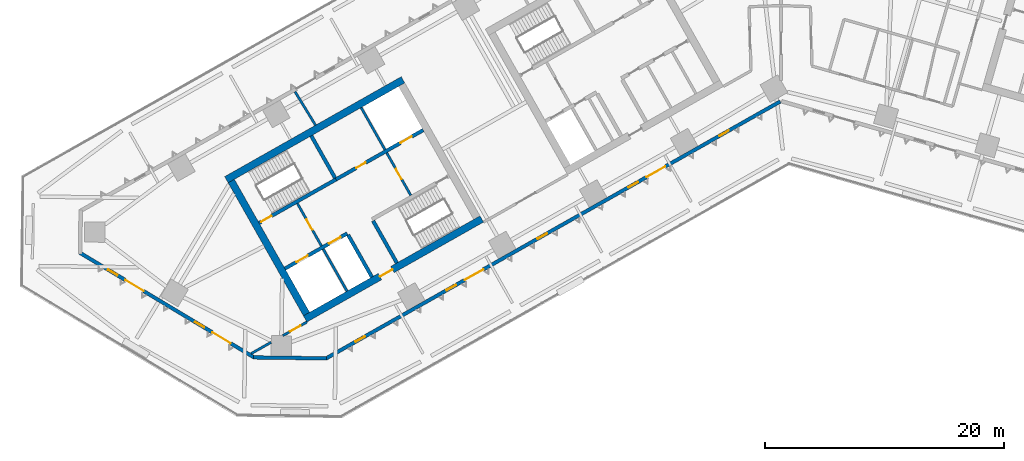
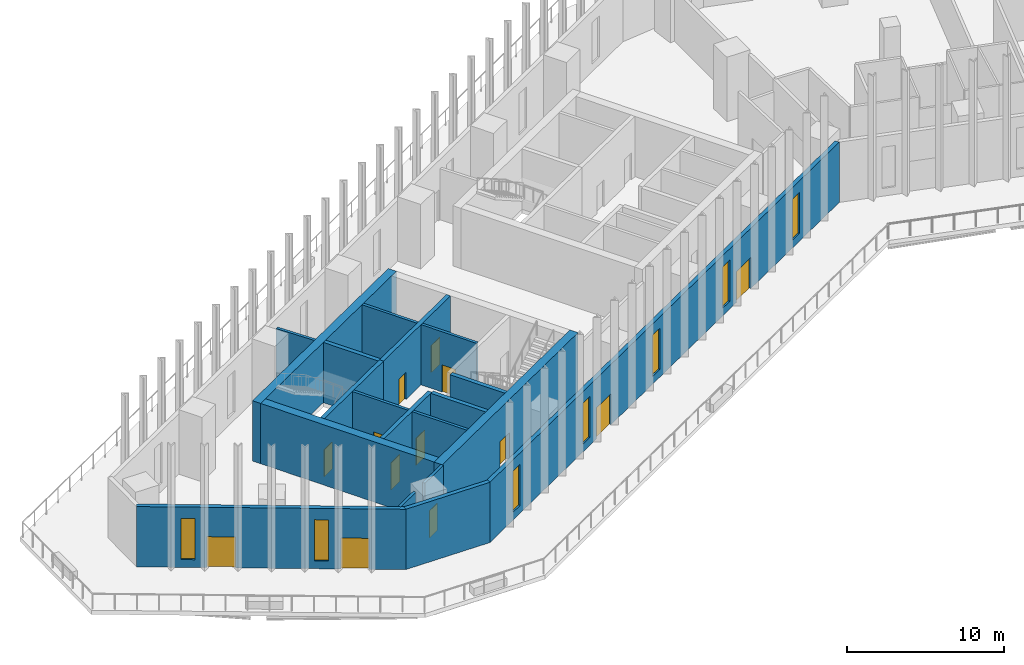
# One storey, part 5 of 17: 19 walls, 13 doors, 7 windows, 20 openings.
"""IFC4 building model written with IfcOpenShell, lengths in metres."""

from ifc_helpers import new_model, si_unit, direction, frame, frame_2d, origin, place, context, subcontext, project, spatial, rectangle, extrude, material, layer, layer_set, type_object, element, fill, save


model = new_model("IFC4")

# Units and contexts
model_context = context("Model", 3, precision=1e-05, world=origin(), true_north=direction((0.0, 1.0)))
body_context = subcontext(model_context, "Body", "Model", "MODEL_VIEW")
ifc_project = project(units=[si_unit("LENGTHUNIT", "METRE"), si_unit("AREAUNIT", "SQUARE_METRE"), si_unit("VOLUMEUNIT", "CUBIC_METRE"), si_unit("PLANEANGLEUNIT", "RADIAN"), si_unit("MASSUNIT", "GRAM", prefix="KILO")], contexts=[model_context])

# Site, building, storey
site_placement = place(None, origin())
site = spatial("IfcSite", under=ifc_project, at=site_placement, CompositionType="ELEMENT")
building_placement = place(site_placement, origin())
building = spatial("IfcBuilding", under=site, at=building_placement, Name="Binnacle Exchange Tower", CompositionType="ELEMENT")
storey_placement = place(building_placement, frame((0.0, 0.0, 26.5)))
storey = spatial("IfcBuildingStorey", under=building, at=storey_placement, Name="L05", CompositionType="ELEMENT", Elevation=26.5)

# Wall, openings, doors
ifc_material_1 = material(Name="Concrete C70/85", Category="concrete")
ifc_layer_1 = layer(ifc_material_1, 0.300048828125)
ifc_layer_set_1 = layer_set([ifc_layer_1], Name="Core wall - front 300")
wall_type_1 = type_object("IfcWallType", Name="Core wall - front 300", PredefinedType="SOLIDWALL", material=ifc_layer_set_1)
wall_1_placement = place(storey_placement, frame((-41.555908203125, 33.9609375, 0.0), z_axis=(0.0, 0.0, 1.0), x_axis=(0.870343731308, 0.492444706919, 0.0)))
wall_1 = element("IfcWall", 1, at=wall_1_placement, inside=storey, type_object=wall_type_1, Name="Core wall CRWA2", PredefinedType="SOLIDWALL", context=body_context, shape_type="SweptSolid", body=[
    extrude(rectangle(XDim=5.999755859375, YDim=0.300048828125, at=frame_2d((3.0, 0.0))), origin(), (0.0, 0.0, 1.0), 4.679931640625),
])
opening_1_placement = place(wall_1_placement, frame((1.099853515625, 0.0, 0.0)))
opening_1 = element("IfcOpeningElement", 2, at=opening_1_placement, cuts=wall_1, Name="Opening LD12", PredefinedType="OPENING", context=body_context, shape_type="SweptSolid", body=[
    extrude(rectangle(XDim=1.10009765625, YDim=2.10009765625, at=frame_2d((0.550048828125, 1.050048828125))), frame((0.0, 0.159912109375, 0.0), z_axis=(0.0, -1.0, 0.0), x_axis=(1.0, 0.0, 0.0)), (0.0, 0.0, 1.0), 0.320068359375),
])
opening_2_placement = place(wall_1_placement, frame((4.25, 0.0, 0.0)))
opening_2 = element("IfcOpeningElement", 3, at=opening_2_placement, cuts=wall_1, Name="Opening LD8", PredefinedType="OPENING", context=body_context, shape_type="SweptSolid", body=[
    extrude(rectangle(XDim=1.10009765625, YDim=2.10009765625, at=frame_2d((0.550048828125, 1.050048828125))), frame((0.0, 0.159912109375, 0.0), z_axis=(0.0, -1.0, 0.0), x_axis=(1.0, 0.0, 0.0)), (0.0, 0.0, 1.0), 0.320068359375),
])
ifc_material_2 = material(Name="Steel door leaf", Category="steel")
door_type_1 = type_object("IfcDoorType", Name="Fire door - lift landing 1100", OperationType="NOTDEFINED", PredefinedType="DOOR", material=ifc_material_2)
door_1_placement = place(opening_1_placement, origin())
door_1 = element("IfcDoor", 4, at=door_1_placement, inside=storey, type_object=door_type_1, Name="Landing door LD12 L05", OperationType="DOUBLE_DOOR_SLIDING", OverallHeight=2.10009765625, OverallWidth=1.10009765625, PredefinedType="DOOR", context=body_context, shape_type="SweptSolid", body=[
    extrude(rectangle(XDim=1.10009765625, YDim=2.10009765625, at=frame_2d((0.550048828125, 1.050048828125))), frame((0.0, 0.02490234375, 0.0), z_axis=(0.0, -1.0, 0.0), x_axis=(1.0, 0.0, 0.0)), (0.0, 0.0, 1.0), 0.050048828125),
])
fill(opening_1, door_1)
door_2_placement = place(opening_2_placement, origin())
door_2 = element("IfcDoor", 5, at=door_2_placement, inside=storey, type_object=door_type_1, Name="Landing door LD8 L05", OperationType="DOUBLE_DOOR_SLIDING", OverallHeight=2.10009765625, OverallWidth=1.10009765625, PredefinedType="DOOR", context=body_context, shape_type="SweptSolid", body=[
    extrude(rectangle(XDim=1.10009765625, YDim=2.10009765625, at=frame_2d((0.550048828125, 1.050048828125))), frame((0.0, 0.02490234375, 0.0), z_axis=(0.0, -1.0, 0.0), x_axis=(1.0, 0.0, 0.0)), (0.0, 0.0, 1.0), 0.050048828125),
])
fill(opening_2, door_2)

wall_2_placement = place(storey_placement, frame((-37.281982421875, 41.4345703125, 0.0), z_axis=(0.0, 0.0, 1.0), x_axis=(0.870356516133, 0.492422110414, 0.0)))
wall_2 = element("IfcWall", 6, at=wall_2_placement, inside=storey, type_object=wall_type_1, Name="Core wall CRWA5", PredefinedType="SOLIDWALL", context=body_context, shape_type="SweptSolid", body=[
    extrude(rectangle(XDim=8.399658203125, YDim=0.300048828125, at=frame_2d((4.19970703125, 0.0))), origin(), (0.0, 0.0, 1.0), 4.679931640625),
])
opening_3_placement = place(wall_2_placement, frame((6.199951171875, 0.0, 0.0)))
opening_3 = element("IfcOpeningElement", 7, at=opening_3_placement, cuts=wall_2, Name="Opening LD13", PredefinedType="OPENING", context=body_context, shape_type="SweptSolid", body=[
    extrude(rectangle(XDim=1.10009765625, YDim=2.10009765625, at=frame_2d((0.550048828125, 1.050048828125))), frame((0.0, 0.159912109375, 0.0), z_axis=(0.0, -1.0, 0.0), x_axis=(1.0, 0.0, 0.0)), (0.0, 0.0, 1.0), 0.320068359375),
])
opening_4_placement = place(wall_2_placement, frame((1.949951171875, 0.0, 0.0)))
opening_4 = element("IfcOpeningElement", 8, at=opening_4_placement, cuts=wall_2, Name="Opening DA10", PredefinedType="OPENING", context=body_context, shape_type="SweptSolid", body=[
    extrude(rectangle(XDim=0.89990234375, YDim=2.10009765625, at=frame_2d((0.449951171875, 1.050048828125))), frame((0.0, 0.159912109375, 0.0), z_axis=(0.0, -1.0, 0.0), x_axis=(1.0, 0.0, 0.0)), (0.0, 0.0, 1.0), 0.320068359375),
])
door_3_placement = place(opening_3_placement, origin())
door_3 = element("IfcDoor", 9, at=door_3_placement, inside=storey, type_object=door_type_1, Name="Landing door LD13 L05", OperationType="DOUBLE_DOOR_SLIDING", OverallHeight=2.10009765625, OverallWidth=1.10009765625, PredefinedType="DOOR", context=body_context, shape_type="SweptSolid", body=[
    extrude(rectangle(XDim=1.10009765625, YDim=2.10009765625, at=frame_2d((0.550048828125, 1.050048828125))), frame((0.0, 0.02490234375, 0.0), z_axis=(0.0, -1.0, 0.0), x_axis=(1.0, 0.0, 0.0)), (0.0, 0.0, 1.0), 0.050048828125),
])
fill(opening_3, door_3)
door_type_2 = type_object("IfcDoorType", Name="Fire door 900", OperationType="NOTDEFINED", PredefinedType="DOOR", material=ifc_material_2)
door_4_placement = place(opening_4_placement, origin())
door_4 = element("IfcDoor", 10, at=door_4_placement, inside=storey, type_object=door_type_2, Name="Core room door LINEN AND SUPPLIES STORE", OperationType="SINGLE_SWING_LEFT", OverallHeight=2.10009765625, OverallWidth=0.89990234375, PredefinedType="DOOR", context=body_context, shape_type="SweptSolid", body=[
    extrude(rectangle(XDim=0.89990234375, YDim=2.10009765625, at=frame_2d((0.449951171875, 1.050048828125))), frame((0.0, 0.02490234375, 0.0), z_axis=(0.0, -1.0, 0.0), x_axis=(1.0, 0.0, 0.0)), (0.0, 0.0, 1.0), 0.050048828125),
])
fill(opening_4, door_4)

# Wall
wall_3_placement = place(storey_placement, frame((-36.260009765625, 36.784912109375, 0.0), z_axis=(0.0, 0.0, 1.0), x_axis=(0.492440575896, -0.870346068648, 0.0)))
element("IfcWall", 11, at=wall_3_placement, inside=storey, type_object=wall_type_1, Name="Core wall CRWA13", PredefinedType="SOLIDWALL", context=body_context, shape_type="SweptSolid", body=[
    extrude(rectangle(XDim=4.050048828125, YDim=0.300048828125, at=frame_2d((2.02490234375, 0.0))), origin(), (0.0, 0.0, 1.0), 4.679931640625),
])

# Wall, opening, door
ifc_layer_2 = layer(ifc_material_1, 0.60009765625)
ifc_layer_set_2 = layer_set([ifc_layer_2], Name="Core wall - outer 600")
wall_type_2 = type_object("IfcWallType", Name="Core wall - outer 600", PredefinedType="SOLIDWALL", material=ifc_layer_set_2)
wall_4_placement = place(storey_placement, frame((-39.8623046875, 29.748779296875, 0.0), z_axis=(0.0, 0.0, 1.0), x_axis=(0.870350116061, 0.492433422375, 0.0)))
wall_4 = element("IfcWall", 12, at=wall_4_placement, inside=storey, type_object=wall_type_2, Name="Core wall CRWA1", PredefinedType="SOLIDWALL", context=body_context, shape_type="SweptSolid", body=[
    extrude(rectangle(XDim=17.0, YDim=0.60009765625, at=frame_2d((8.5, 0.0))), origin(), (0.0, 0.0, 1.0), 4.679931640625),
])
opening_5_placement = place(wall_4_placement, frame((7.199951171875, 0.0, 0.0)))
opening_5 = element("IfcOpeningElement", 13, at=opening_5_placement, cuts=wall_4, Name="Opening DA7", PredefinedType="OPENING", context=body_context, shape_type="SweptSolid", body=[
    extrude(rectangle(XDim=1.199951171875, YDim=2.10009765625, at=frame_2d((0.60009765625, 1.050048828125))), frame((0.0, 0.31005859375, 0.0), z_axis=(0.0, -1.0, 0.0), x_axis=(1.0, 0.0, 0.0)), (0.0, 0.0, 1.0), 0.6201171875),
])
door_type_3 = type_object("IfcDoorType", Name="Fire door 1200", OperationType="NOTDEFINED", PredefinedType="DOOR", material=ifc_material_2)
door_5_placement = place(opening_5_placement, frame((1.199951171875, 0.0, 0.0), z_axis=(0.0, 0.0, 1.0), x_axis=(-1.0, 0.0, 0.0)))
door_5 = element("IfcDoor", 14, at=door_5_placement, inside=storey, type_object=door_type_3, Name="Lift lobby entrance door core A", OperationType="SINGLE_SWING_RIGHT", OverallHeight=2.10009765625, OverallWidth=1.199951171875, PredefinedType="DOOR", context=body_context, shape_type="SweptSolid", body=[
    extrude(rectangle(XDim=1.199951171875, YDim=2.10009765625, at=frame_2d((0.60009765625, 1.050048828125))), frame((0.0, 0.02490234375, 0.0), z_axis=(0.0, -1.0, 0.0), x_axis=(1.0, 0.0, 0.0)), (0.0, 0.0, 1.0), 0.050048828125),
])
fill(opening_5, door_5)

# Walls
wall_5_placement = place(storey_placement, frame((-46.460693359375, 41.41162109375, 0.0), z_axis=(0.0, 0.0, 1.0), x_axis=(0.870350116061, 0.492433422375, 0.0)))
element("IfcWall", 15, at=wall_5_placement, inside=storey, type_object=wall_type_2, Name="Core wall CRWA6", PredefinedType="SOLIDWALL", context=body_context, shape_type="SweptSolid", body=[
    extrude(rectangle(XDim=17.0, YDim=0.60009765625, at=frame_2d((8.5, 0.0))), origin(), (0.0, 0.0, 1.0), 4.679931640625),
])
wall_6_placement = place(storey_placement, frame((-46.052001953125, 41.29833984375, 0.0), z_axis=(0.0, 0.0, 1.0), x_axis=(0.492418598281, -0.870358503186, 0.0)))
element("IfcWall", 16, at=wall_6_placement, inside=storey, type_object=wall_type_2, Name="Core wall CRWA7", PredefinedType="SOLIDWALL", context=body_context, shape_type="SweptSolid", body=[
    extrude(rectangle(XDim=12.800048828125, YDim=0.60009765625, at=frame_2d((6.39990234375, 0.0))), origin(), (0.0, 0.0, 1.0), 4.679931640625),
])

# Wall, opening, door
ifc_layer_3 = layer(ifc_material_1, 0.300048828125)
ifc_layer_set_3 = layer_set([ifc_layer_3], Name="Core wall - stair 300")
wall_type_3 = type_object("IfcWallType", Name="Core wall - stair 300", PredefinedType="SOLIDWALL", material=ifc_layer_set_3)
wall_7_placement = place(storey_placement, frame((-43.72265625, 37.79052734375, 0.0), z_axis=(0.0, 0.0, 1.0), x_axis=(0.87035077051, 0.49243226567, 0.0)))
wall_7 = element("IfcWall", 17, at=wall_7_placement, inside=storey, type_object=wall_type_3, Name="Core wall CRWA4", PredefinedType="SOLIDWALL", context=body_context, shape_type="SweptSolid", body=[
    extrude(rectangle(XDim=7.400146484375, YDim=0.300048828125, at=frame_2d((3.7001953125, 0.0))), origin(), (0.0, 0.0, 1.0), 4.679931640625),
])
opening_6_placement = place(wall_7_placement, frame((0.199951171875, 0.0, 0.0)))
opening_6 = element("IfcOpeningElement", 18, at=opening_6_placement, cuts=wall_7, Name="Opening DA1", PredefinedType="OPENING", context=body_context, shape_type="SweptSolid", body=[
    extrude(rectangle(XDim=1.0, YDim=2.10009765625, at=frame_2d((0.5, 1.050048828125))), frame((0.0, 0.159912109375, 0.0), z_axis=(0.0, -1.0, 0.0), x_axis=(1.0, 0.0, 0.0)), (0.0, 0.0, 1.0), 0.320068359375),
])
door_type_4 = type_object("IfcDoorType", Name="Fire door 1000", OperationType="NOTDEFINED", PredefinedType="DOOR", material=ifc_material_2)
door_6_placement = place(opening_6_placement, origin())
door_6 = element("IfcDoor", 19, at=door_6_placement, inside=storey, type_object=door_type_4, Name="Stair door ST-A1", OperationType="SINGLE_SWING_LEFT", OverallHeight=2.10009765625, OverallWidth=1.0, PredefinedType="DOOR", context=body_context, shape_type="SweptSolid", body=[
    extrude(rectangle(XDim=1.0, YDim=2.10009765625, at=frame_2d((0.5, 1.050048828125))), frame((0.0, 0.02490234375, 0.0), z_axis=(0.0, -1.0, 0.0), x_axis=(1.0, 0.0, 0.0)), (0.0, 0.0, 1.0), 0.050048828125),
])
fill(opening_6, door_6)

# Walls
wall_8_placement = place(storey_placement, frame((-39.350341796875, 45.090087890625, 0.0), z_axis=(0.0, 0.0, 1.0), x_axis=(0.49241474071, -0.870360685654, 0.0)))
element("IfcWall", 20, at=wall_8_placement, inside=storey, type_object=wall_type_3, Name="Core wall CRWA14", PredefinedType="SOLIDWALL", context=body_context, shape_type="SweptSolid", body=[
    extrude(rectangle(XDim=4.05029296875, YDim=0.300048828125, at=frame_2d((2.025146484375, 0.0))), origin(), (0.0, 0.0, 1.0), 4.679931640625),
])
wall_9_placement = place(storey_placement, frame((-34.171142578125, 37.966796875, 0.0), z_axis=(0.0, 0.0, 1.0), x_axis=(0.492394910396, -0.870371904542, 0.0)))
element("IfcWall", 21, at=wall_9_placement, inside=storey, type_object=wall_type_3, Name="Core wall CRWA16", PredefinedType="SOLIDWALL", context=body_context, shape_type="SweptSolid", body=[
    extrude(rectangle(XDim=4.0498046875, YDim=0.300048828125, at=frame_2d((2.02490234375, 0.0))), origin(), (0.0, 0.0, 1.0), 4.679931640625),
])

# Wall, openings, doors, windows
ifc_material_3 = material(Name="Bronze aluminium cladding", Category="aluminium")
ifc_layer_4 = layer(ifc_material_3, 0.300048828125)
ifc_layer_set_4 = layer_set([ifc_layer_4], Name="External wall - spandrel 300")
wall_type_4 = type_object("IfcWallType", Name="External wall - spandrel 300", PredefinedType="STANDARD", material=ifc_layer_set_4)
wall_10_placement = place(storey_placement, frame((-44.109375, 26.503662109375, 0.0), z_axis=(0.0, 0.0, 1.0), x_axis=(-0.857169502585, 0.515034410344, 0.0)))
wall_10 = element("IfcWall", 22, at=wall_10_placement, inside=storey, type_object=wall_type_4, Name="External wall EW-F05 L05", PredefinedType="STANDARD", context=body_context, shape_type="SweptSolid", body=[
    extrude(rectangle(XDim=17.126708984375, YDim=0.300048828125, at=frame_2d((8.5634765625, 0.0))), origin(), (0.0, 0.0, 1.0), 4.679931640625),
])
opening_7_placement = place(wall_10_placement, frame((13.403076171875, 0.0, 0.60009765625)))
opening_7 = element("IfcOpeningElement", 23, at=opening_7_placement, cuts=wall_10, Name="Opening WS1", PredefinedType="OPENING", context=body_context, shape_type="SweptSolid", body=[
    extrude(rectangle(XDim=0.89990234375, YDim=3.199951171875, at=frame_2d((0.449951171875, 1.60009765625))), frame((0.0, 0.159912109375, 0.0), z_axis=(0.0, -1.0, 0.0), x_axis=(1.0, 0.0, 0.0)), (0.0, 0.0, 1.0), 0.320068359375),
])
opening_8_placement = place(wall_10_placement, frame((10.827880859375, 0.0, 0.0)))
opening_8 = element("IfcOpeningElement", 24, at=opening_8_placement, cuts=wall_10, Name="Opening D-FS05-05", PredefinedType="OPENING", context=body_context, shape_type="SweptSolid", body=[
    extrude(rectangle(XDim=1.800048828125, YDim=2.39990234375, at=frame_2d((0.89990234375, 1.199951171875))), frame((0.0, 0.159912109375, 0.0), z_axis=(0.0, -1.0, 0.0), x_axis=(1.0, 0.0, 0.0)), (0.0, 0.0, 1.0), 0.320068359375),
])
opening_9_placement = place(wall_10_placement, frame((4.903076171875, 0.0, 0.60009765625)))
opening_9 = element("IfcOpeningElement", 25, at=opening_9_placement, cuts=wall_10, Name="Opening WS1", PredefinedType="OPENING", context=body_context, shape_type="SweptSolid", body=[
    extrude(rectangle(XDim=0.89990234375, YDim=3.199951171875, at=frame_2d((0.449951171875, 1.60009765625))), frame((0.0, 0.159912109375, 0.0), z_axis=(0.0, -1.0, 0.0), x_axis=(1.0, 0.0, 0.0)), (0.0, 0.0, 1.0), 0.320068359375),
])
opening_10_placement = place(wall_10_placement, frame((2.327880859375, 0.0, 0.0)))
opening_10 = element("IfcOpeningElement", 26, at=opening_10_placement, cuts=wall_10, Name="Opening D-FS05-06", PredefinedType="OPENING", context=body_context, shape_type="SweptSolid", body=[
    extrude(rectangle(XDim=1.800048828125, YDim=2.39990234375, at=frame_2d((0.89990234375, 1.199951171875))), frame((0.0, 0.159912109375, 0.0), z_axis=(0.0, -1.0, 0.0), x_axis=(1.0, 0.0, 0.0)), (0.0, 0.0, 1.0), 0.320068359375),
])
ifc_material_4 = material(Name="Bronze anodised aluminium frame", Category="aluminium")
door_type_5 = type_object("IfcDoorType", Name="DT DOOR 1800x2400", OperationType="DOUBLE_DOOR_SINGLE_SWING", PredefinedType="DOOR", material=ifc_material_4)
door_7_placement = place(opening_8_placement, origin())
door_7 = element("IfcDoor", 27, at=door_7_placement, inside=storey, type_object=door_type_5, Name="Door D-FS05-05 L05", OperationType="DOUBLE_DOOR_SINGLE_SWING", OverallHeight=2.39990234375, OverallWidth=1.800048828125, PredefinedType="DOOR", context=body_context, shape_type="SweptSolid", body=[
    extrude(rectangle(XDim=1.800048828125, YDim=2.39990234375, at=frame_2d((0.89990234375, 1.199951171875))), frame((0.0, 0.02490234375, 0.0), z_axis=(0.0, -1.0, 0.0), x_axis=(1.0, 0.0, 0.0)), (0.0, 0.0, 1.0), 0.050048828125),
])
fill(opening_8, door_7)
door_8_placement = place(opening_10_placement, origin())
door_8 = element("IfcDoor", 28, at=door_8_placement, inside=storey, type_object=door_type_5, Name="Door D-FS05-06 L05", OperationType="DOUBLE_DOOR_SINGLE_SWING", OverallHeight=2.39990234375, OverallWidth=1.800048828125, PredefinedType="DOOR", context=body_context, shape_type="SweptSolid", body=[
    extrude(rectangle(XDim=1.800048828125, YDim=2.39990234375, at=frame_2d((0.89990234375, 1.199951171875))), frame((0.0, 0.02490234375, 0.0), z_axis=(0.0, -1.0, 0.0), x_axis=(1.0, 0.0, 0.0)), (0.0, 0.0, 1.0), 0.050048828125),
])
fill(opening_10, door_8)
window_type = type_object("IfcWindowType", Name="WS1 WINDOW 900x3200", PartitioningType="SINGLE_PANEL", PredefinedType="WINDOW", material=ifc_material_4)
window_1_placement = place(opening_7_placement, origin())
window_1 = element("IfcWindow", 29, at=window_1_placement, inside=storey, type_object=window_type, Name="Window WS1 L05", OverallHeight=3.199951171875, OverallWidth=0.89990234375, PartitioningType="SINGLE_PANEL", PredefinedType="WINDOW", context=body_context, shape_type="SweptSolid", body=[
    extrude(rectangle(XDim=0.89990234375, YDim=3.199951171875, at=frame_2d((0.449951171875, 1.60009765625))), frame((0.0, 0.030029296875, 0.0), z_axis=(0.0, -1.0, 0.0), x_axis=(1.0, 0.0, 0.0)), (0.0, 0.0, 1.0), 0.06005859375),
])
fill(opening_7, window_1)
window_2_placement = place(opening_9_placement, origin())
window_2 = element("IfcWindow", 30, at=window_2_placement, inside=storey, type_object=window_type, Name="Window WS1 L05", OverallHeight=3.199951171875, OverallWidth=0.89990234375, PartitioningType="SINGLE_PANEL", PredefinedType="WINDOW", context=body_context, shape_type="SweptSolid", body=[
    extrude(rectangle(XDim=0.89990234375, YDim=3.199951171875, at=frame_2d((0.449951171875, 1.60009765625))), frame((0.0, 0.030029296875, 0.0), z_axis=(0.0, -1.0, 0.0), x_axis=(1.0, 0.0, 0.0)), (0.0, 0.0, 1.0), 0.06005859375),
])
fill(opening_9, window_2)

# Wall
wall_11_placement = place(storey_placement, frame((-38.057373046875, 26.44482421875, 0.0), z_axis=(0.0, 0.0, 1.0), x_axis=(-0.999914086342, 0.013108010296, 0.0)))
element("IfcWall", 31, at=wall_11_placement, inside=storey, type_object=wall_type_4, Name="External wall EW-F06 L05", PredefinedType="STANDARD", context=body_context, shape_type="SweptSolid", body=[
    extrude(rectangle(XDim=6.127685546875, YDim=0.300048828125, at=frame_2d((3.06396484375, 0.0))), origin(), (0.0, 0.0, 1.0), 4.679931640625),
])

# Wall, openings, doors, windows
wall_12_placement = place(storey_placement, frame((-0.0546875, 47.968994140625, 0.0), z_axis=(0.0, 0.0, 1.0), x_axis=(-0.870355730478, -0.492423499058, 0.0)))
wall_12 = element("IfcWall", 32, at=wall_12_placement, inside=storey, type_object=wall_type_4, Name="External wall EW-F07 L05", PredefinedType="STANDARD", context=body_context, shape_type="SweptSolid", body=[
    extrude(rectangle(XDim=43.750244140625, YDim=0.300048828125, at=frame_2d((21.875, 0.0))), origin(), (0.0, 0.0, 1.0), 4.679931640625),
])
opening_11_placement = place(wall_12_placement, frame((39.976806640625, 0.0, 0.60009765625)))
opening_11 = element("IfcOpeningElement", 33, at=opening_11_placement, cuts=wall_12, Name="Opening WS1", PredefinedType="OPENING", context=body_context, shape_type="SweptSolid", body=[
    extrude(rectangle(XDim=0.89990234375, YDim=3.199951171875, at=frame_2d((0.449951171875, 1.60009765625))), frame((0.0, 0.159912109375, 0.0), z_axis=(0.0, -1.0, 0.0), x_axis=(1.0, 0.0, 0.0)), (0.0, 0.0, 1.0), 0.320068359375),
])
opening_12_placement = place(wall_12_placement, frame((31.222412109375, 0.0, 0.60009765625)))
opening_12 = element("IfcOpeningElement", 34, at=opening_12_placement, cuts=wall_12, Name="Opening WS1", PredefinedType="OPENING", context=body_context, shape_type="SweptSolid", body=[
    extrude(rectangle(XDim=0.89990234375, YDim=3.199951171875, at=frame_2d((0.449951171875, 1.60009765625))), frame((0.0, 0.159912109375, 0.0), z_axis=(0.0, -1.0, 0.0), x_axis=(1.0, 0.0, 0.0)), (0.0, 0.0, 1.0), 0.320068359375),
])
opening_13_placement = place(wall_12_placement, frame((28.583740234375, 0.0, 0.0)))
opening_13 = element("IfcOpeningElement", 35, at=opening_13_placement, cuts=wall_12, Name="Opening D-FS05-07", PredefinedType="OPENING", context=body_context, shape_type="SweptSolid", body=[
    extrude(rectangle(XDim=1.800048828125, YDim=2.39990234375, at=frame_2d((0.89990234375, 1.199951171875))), frame((0.0, 0.159912109375, 0.0), z_axis=(0.0, -1.0, 0.0), x_axis=(1.0, 0.0, 0.0)), (0.0, 0.0, 1.0), 0.320068359375),
])
opening_14_placement = place(wall_12_placement, frame((22.4677734375, 0.0, 0.60009765625)))
opening_14 = element("IfcOpeningElement", 36, at=opening_14_placement, cuts=wall_12, Name="Opening WS1", PredefinedType="OPENING", context=body_context, shape_type="SweptSolid", body=[
    extrude(rectangle(XDim=0.89990234375, YDim=3.199951171875, at=frame_2d((0.449951171875, 1.60009765625))), frame((0.0, 0.159912109375, 0.0), z_axis=(0.0, -1.0, 0.0), x_axis=(1.0, 0.0, 0.0)), (0.0, 0.0, 1.0), 0.320068359375),
])
opening_15_placement = place(wall_12_placement, frame((13.713134765625, 0.0, 0.60009765625)))
opening_15 = element("IfcOpeningElement", 37, at=opening_15_placement, cuts=wall_12, Name="Opening WS1", PredefinedType="OPENING", context=body_context, shape_type="SweptSolid", body=[
    extrude(rectangle(XDim=0.89990234375, YDim=3.199951171875, at=frame_2d((0.449951171875, 1.60009765625))), frame((0.0, 0.159912109375, 0.0), z_axis=(0.0, -1.0, 0.0), x_axis=(1.0, 0.0, 0.0)), (0.0, 0.0, 1.0), 0.320068359375),
])
opening_16_placement = place(wall_12_placement, frame((11.07470703125, 0.0, 0.0)))
opening_16 = element("IfcOpeningElement", 38, at=opening_16_placement, cuts=wall_12, Name="Opening D-FS05-08", PredefinedType="OPENING", context=body_context, shape_type="SweptSolid", body=[
    extrude(rectangle(XDim=1.800048828125, YDim=2.39990234375, at=frame_2d((0.89990234375, 1.199951171875))), frame((0.0, 0.159912109375, 0.0), z_axis=(0.0, -1.0, 0.0), x_axis=(1.0, 0.0, 0.0)), (0.0, 0.0, 1.0), 0.320068359375),
])
opening_17_placement = place(wall_12_placement, frame((4.958740234375, 0.0, 0.60009765625)))
opening_17 = element("IfcOpeningElement", 39, at=opening_17_placement, cuts=wall_12, Name="Opening WS1", PredefinedType="OPENING", context=body_context, shape_type="SweptSolid", body=[
    extrude(rectangle(XDim=0.89990234375, YDim=3.199951171875, at=frame_2d((0.449951171875, 1.60009765625))), frame((0.0, 0.159912109375, 0.0), z_axis=(0.0, -1.0, 0.0), x_axis=(1.0, 0.0, 0.0)), (0.0, 0.0, 1.0), 0.320068359375),
])
door_9_placement = place(opening_13_placement, origin())
door_9 = element("IfcDoor", 40, at=door_9_placement, inside=storey, type_object=door_type_5, Name="Door D-FS05-07 L05", OperationType="DOUBLE_DOOR_SINGLE_SWING", OverallHeight=2.39990234375, OverallWidth=1.800048828125, PredefinedType="DOOR", context=body_context, shape_type="SweptSolid", body=[
    extrude(rectangle(XDim=1.800048828125, YDim=2.39990234375, at=frame_2d((0.89990234375, 1.199951171875))), frame((0.0, 0.02490234375, 0.0), z_axis=(0.0, -1.0, 0.0), x_axis=(1.0, 0.0, 0.0)), (0.0, 0.0, 1.0), 0.050048828125),
])
fill(opening_13, door_9)
door_10_placement = place(opening_16_placement, origin())
door_10 = element("IfcDoor", 41, at=door_10_placement, inside=storey, type_object=door_type_5, Name="Door D-FS05-08 L05", OperationType="DOUBLE_DOOR_SINGLE_SWING", OverallHeight=2.39990234375, OverallWidth=1.800048828125, PredefinedType="DOOR", context=body_context, shape_type="SweptSolid", body=[
    extrude(rectangle(XDim=1.800048828125, YDim=2.39990234375, at=frame_2d((0.89990234375, 1.199951171875))), frame((0.0, 0.02490234375, 0.0), z_axis=(0.0, -1.0, 0.0), x_axis=(1.0, 0.0, 0.0)), (0.0, 0.0, 1.0), 0.050048828125),
])
fill(opening_16, door_10)
window_3_placement = place(opening_11_placement, origin())
window_3 = element("IfcWindow", 42, at=window_3_placement, inside=storey, type_object=window_type, Name="Window WS1 L05", OverallHeight=3.199951171875, OverallWidth=0.89990234375, PartitioningType="SINGLE_PANEL", PredefinedType="WINDOW", context=body_context, shape_type="SweptSolid", body=[
    extrude(rectangle(XDim=0.89990234375, YDim=3.199951171875, at=frame_2d((0.449951171875, 1.60009765625))), frame((0.0, 0.030029296875, 0.0), z_axis=(0.0, -1.0, 0.0), x_axis=(1.0, 0.0, 0.0)), (0.0, 0.0, 1.0), 0.06005859375),
])
fill(opening_11, window_3)
window_4_placement = place(opening_12_placement, origin())
window_4 = element("IfcWindow", 43, at=window_4_placement, inside=storey, type_object=window_type, Name="Window WS1 L05", OverallHeight=3.199951171875, OverallWidth=0.89990234375, PartitioningType="SINGLE_PANEL", PredefinedType="WINDOW", context=body_context, shape_type="SweptSolid", body=[
    extrude(rectangle(XDim=0.89990234375, YDim=3.199951171875, at=frame_2d((0.449951171875, 1.60009765625))), frame((0.0, 0.030029296875, 0.0), z_axis=(0.0, -1.0, 0.0), x_axis=(1.0, 0.0, 0.0)), (0.0, 0.0, 1.0), 0.06005859375),
])
fill(opening_12, window_4)
window_5_placement = place(opening_14_placement, origin())
window_5 = element("IfcWindow", 44, at=window_5_placement, inside=storey, type_object=window_type, Name="Window WS1 L05", OverallHeight=3.199951171875, OverallWidth=0.89990234375, PartitioningType="SINGLE_PANEL", PredefinedType="WINDOW", context=body_context, shape_type="SweptSolid", body=[
    extrude(rectangle(XDim=0.89990234375, YDim=3.199951171875, at=frame_2d((0.449951171875, 1.60009765625))), frame((0.0, 0.030029296875, 0.0), z_axis=(0.0, -1.0, 0.0), x_axis=(1.0, 0.0, 0.0)), (0.0, 0.0, 1.0), 0.06005859375),
])
fill(opening_14, window_5)
window_6_placement = place(opening_15_placement, origin())
window_6 = element("IfcWindow", 45, at=window_6_placement, inside=storey, type_object=window_type, Name="Window WS1 L05", OverallHeight=3.199951171875, OverallWidth=0.89990234375, PartitioningType="SINGLE_PANEL", PredefinedType="WINDOW", context=body_context, shape_type="SweptSolid", body=[
    extrude(rectangle(XDim=0.89990234375, YDim=3.199951171875, at=frame_2d((0.449951171875, 1.60009765625))), frame((0.0, 0.030029296875, 0.0), z_axis=(0.0, -1.0, 0.0), x_axis=(1.0, 0.0, 0.0)), (0.0, 0.0, 1.0), 0.06005859375),
])
fill(opening_15, window_6)
window_7_placement = place(opening_17_placement, origin())
window_7 = element("IfcWindow", 46, at=window_7_placement, inside=storey, type_object=window_type, Name="Window WS1 L05", OverallHeight=3.199951171875, OverallWidth=0.89990234375, PartitioningType="SINGLE_PANEL", PredefinedType="WINDOW", context=body_context, shape_type="SweptSolid", body=[
    extrude(rectangle(XDim=0.89990234375, YDim=3.199951171875, at=frame_2d((0.449951171875, 1.60009765625))), frame((0.0, 0.030029296875, 0.0), z_axis=(0.0, -1.0, 0.0), x_axis=(1.0, 0.0, 0.0)), (0.0, 0.0, 1.0), 0.06005859375),
])
fill(opening_17, window_7)

# Wall
ifc_material_5 = material(Name="Masonry block wall", Category="masonry")
ifc_layer_5 = layer(ifc_material_5, 0.199951171875)
ifc_layer_set_5 = layer_set([ifc_layer_5], Name="Fire wall - block 200")
wall_type_5 = type_object("IfcWallType", Name="Fire wall - block 200", PredefinedType="PARTITIONING", material=ifc_layer_set_5)
wall_13_placement = place(storey_placement, frame((-44.385986328125, 26.844970703125, 0.0), z_axis=(0.0, 0.0, 1.0), x_axis=(0.870226201187, 0.492652371118, 0.0)))
element("IfcWall", 47, at=wall_13_placement, inside=storey, type_object=wall_type_5, Name="Partition W01", PredefinedType="PARTITIONING", context=body_context, shape_type="SweptSolid", body=[
    extrude(rectangle(XDim=1.9326171875, YDim=0.199951171875, at=frame_2d((0.96630859375, 0.0))), origin(), (0.0, 0.0, 1.0), 4.679931640625),
])

# Wall, opening, door
wall_14_placement = place(storey_placement, frame((-41.738037109375, 28.343017578125, 0.0), z_axis=(0.0, 0.0, 1.0), x_axis=(0.870265350095, 0.492583211676, 0.0)))
wall_14 = element("IfcWall", 48, at=wall_14_placement, inside=storey, type_object=wall_type_5, Name="Partition W02", PredefinedType="PARTITIONING", context=body_context, shape_type="SweptSolid", body=[
    extrude(rectangle(XDim=2.324462890625, YDim=0.199951171875, at=frame_2d((1.162109375, 0.0))), origin(), (0.0, 0.0, 1.0), 4.679931640625),
])
opening_18_placement = place(wall_14_placement, frame((0.699951171875, 0.0, 0.0)))
opening_18 = element("IfcOpeningElement", 49, at=opening_18_placement, cuts=wall_14, Name="Opening DL05-01", PredefinedType="OPENING", context=body_context, shape_type="SweptSolid", body=[
    extrude(rectangle(XDim=1.0, YDim=2.10009765625, at=frame_2d((0.5, 1.050048828125))), frame((0.0, 0.10986328125, 0.0), z_axis=(0.0, -1.0, 0.0), x_axis=(1.0, 0.0, 0.0)), (0.0, 0.0, 1.0), 0.219970703125),
])
door_11_placement = place(opening_18_placement, origin())
door_11 = element("IfcDoor", 50, at=door_11_placement, inside=storey, type_object=door_type_4, Name="Door DL05-01", OperationType="SINGLE_SWING_RIGHT", OverallHeight=2.10009765625, OverallWidth=1.0, PredefinedType="DOOR", context=body_context, shape_type="SweptSolid", body=[
    extrude(rectangle(XDim=1.0, YDim=2.10009765625, at=frame_2d((0.5, 1.050048828125))), frame((0.0, 0.02490234375, 0.0), z_axis=(0.0, -1.0, 0.0), x_axis=(1.0, 0.0, 0.0)), (0.0, 0.0, 1.0), 0.050048828125),
])
fill(opening_18, door_11)

# Wall
wall_15_placement = place(storey_placement, frame((-40.712890625, 48.7939453125, 0.0), z_axis=(0.0, 0.0, 1.0), x_axis=(0.52165366254, -0.853157345604, 0.0)))
element("IfcWall", 51, at=wall_15_placement, inside=storey, type_object=wall_type_5, Name="Partition W03", PredefinedType="PARTITIONING", context=body_context, shape_type="SweptSolid", body=[
    extrude(rectangle(XDim=3.297119140625, YDim=0.199951171875, at=frame_2d((1.6484375, 0.0))), origin(), (0.0, 0.0, 1.0), 3.9599609375),
])

# Wall, opening, door
ifc_layer_6 = layer(ifc_material_5, 0.199951171875)
ifc_layer_set_6 = layer_set([ifc_layer_6], Name="Fire wall - vestibule 200")
wall_type_6 = type_object("IfcWallType", Name="Fire wall - vestibule 200", PredefinedType="PARTITIONING", material=ifc_layer_set_6)
wall_16_placement = place(storey_placement, frame((-40.515625, 39.4326171875, 0.0), z_axis=(0.0, 0.0, 1.0), x_axis=(0.492453559952, -0.87033872216, 0.0)))
wall_16 = element("IfcWall", 52, at=wall_16_placement, inside=storey, type_object=wall_type_6, Name="Core wall CRWA10", PredefinedType="PARTITIONING", context=body_context, shape_type="SweptSolid", body=[
    extrude(rectangle(XDim=4.099853515625, YDim=0.199951171875, at=frame_2d((2.0498046875, 0.0))), origin(), (0.0, 0.0, 1.0), 4.679931640625),
])
opening_19_placement = place(wall_16_placement, frame((1.550048828125, 0.0, 0.0)))
opening_19 = element("IfcOpeningElement", 53, at=opening_19_placement, cuts=wall_16, Name="Opening DA3", PredefinedType="OPENING", context=body_context, shape_type="SweptSolid", body=[
    extrude(rectangle(XDim=1.0, YDim=2.10009765625, at=frame_2d((0.5, 1.050048828125))), frame((0.0, 0.10986328125, 0.0), z_axis=(0.0, -1.0, 0.0), x_axis=(1.0, 0.0, 0.0)), (0.0, 0.0, 1.0), 0.219970703125),
])
door_12_placement = place(opening_19_placement, frame((1.0, 0.0, 0.0), z_axis=(0.0, 0.0, 1.0), x_axis=(-1.0, 0.0, 0.0)))
door_12 = element("IfcDoor", 54, at=door_12_placement, inside=storey, type_object=door_type_4, Name="Vestibule door VEST-W", OperationType="SINGLE_SWING_LEFT", OverallHeight=2.10009765625, OverallWidth=1.0, PredefinedType="DOOR", context=body_context, shape_type="SweptSolid", body=[
    extrude(rectangle(XDim=1.0, YDim=2.10009765625, at=frame_2d((0.5, 1.050048828125))), frame((0.0, 0.02490234375, 0.0), z_axis=(0.0, -1.0, 0.0), x_axis=(1.0, 0.0, 0.0)), (0.0, 0.0, 1.0), 0.050048828125),
])
fill(opening_19, door_12)

wall_17_placement = place(storey_placement, frame((-33.030517578125, 43.66748046875, 0.0), z_axis=(0.0, 0.0, 1.0), x_axis=(0.492408451753, -0.87036424366, 0.0)))
wall_17 = element("IfcWall", 55, at=wall_17_placement, inside=storey, type_object=wall_type_6, Name="Core wall CRWA19", PredefinedType="PARTITIONING", context=body_context, shape_type="SweptSolid", body=[
    extrude(rectangle(XDim=4.099853515625, YDim=0.199951171875, at=frame_2d((2.0498046875, 0.0))), origin(), (0.0, 0.0, 1.0), 4.679931640625),
])
opening_20_placement = place(wall_17_placement, frame((1.550048828125, 0.0, 0.0)))
opening_20 = element("IfcOpeningElement", 56, at=opening_20_placement, cuts=wall_17, Name="Opening DA4", PredefinedType="OPENING", context=body_context, shape_type="SweptSolid", body=[
    extrude(rectangle(XDim=1.0, YDim=2.10009765625, at=frame_2d((0.5, 1.050048828125))), frame((0.0, 0.10986328125, 0.0), z_axis=(0.0, -1.0, 0.0), x_axis=(1.0, 0.0, 0.0)), (0.0, 0.0, 1.0), 0.219970703125),
])
door_13_placement = place(opening_20_placement, origin())
door_13 = element("IfcDoor", 57, at=door_13_placement, inside=storey, type_object=door_type_4, Name="Vestibule door VEST-E", OperationType="SINGLE_SWING_RIGHT", OverallHeight=2.10009765625, OverallWidth=1.0, PredefinedType="DOOR", context=body_context, shape_type="SweptSolid", body=[
    extrude(rectangle(XDim=1.0, YDim=2.10009765625, at=frame_2d((0.5, 1.050048828125))), frame((0.0, 0.02490234375, 0.0), z_axis=(0.0, -1.0, 0.0), x_axis=(1.0, 0.0, 0.0)), (0.0, 0.0, 1.0), 0.050048828125),
])
fill(opening_20, door_13)

# Walls
ifc_layer_7 = layer(ifc_material_5, 0.199951171875)
ifc_layer_set_7 = layer_set([ifc_layer_7], Name="Shaft wall 200")
wall_type_7 = type_object("IfcWallType", Name="Shaft wall 200", PredefinedType="SOLIDWALL", material=ifc_layer_set_7)
wall_18_placement = place(storey_placement, frame((-38.348876953125, 35.603271484375, 0.0), z_axis=(0.0, 0.0, 1.0), x_axis=(0.49241474071, -0.870360685654, 0.0)))
element("IfcWall", 58, at=wall_18_placement, inside=storey, type_object=wall_type_7, Name="Core wall CRWA9", PredefinedType="SOLIDWALL", context=body_context, shape_type="SweptSolid", body=[
    extrude(rectangle(XDim=4.05029296875, YDim=0.199951171875, at=frame_2d((2.025146484375, 0.0))), origin(), (0.0, 0.0, 1.0), 4.679931640625),
])
wall_19_placement = place(storey_placement, frame((-35.172607421875, 47.45361328125, 0.0), z_axis=(0.0, 0.0, 1.0), x_axis=(0.492440575896, -0.870346068648, 0.0)))
element("IfcWall", 59, at=wall_19_placement, inside=storey, type_object=wall_type_7, Name="Core wall CRWA21", PredefinedType="SOLIDWALL", context=body_context, shape_type="SweptSolid", body=[
    extrude(rectangle(XDim=4.050048828125, YDim=0.199951171875, at=frame_2d((2.02490234375, 0.0))), origin(), (0.0, 0.0, 1.0), 4.679931640625),
])

save(model, "model.ifc")
